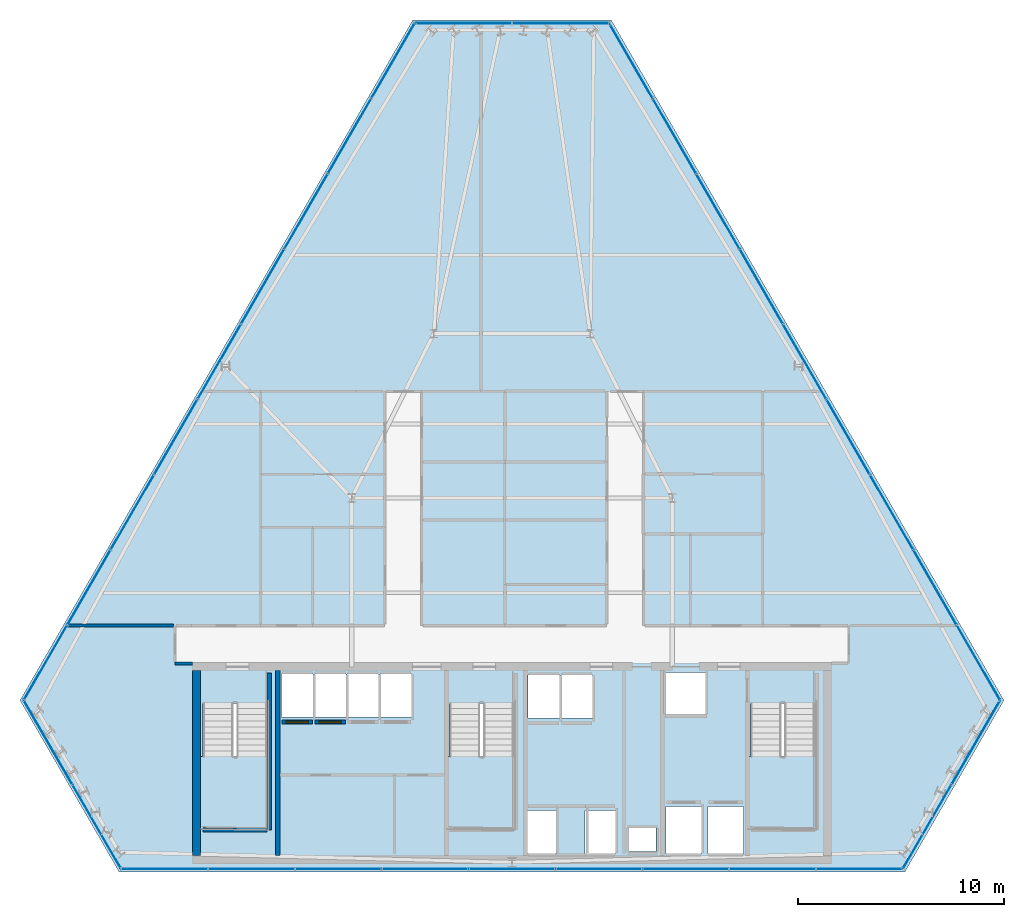
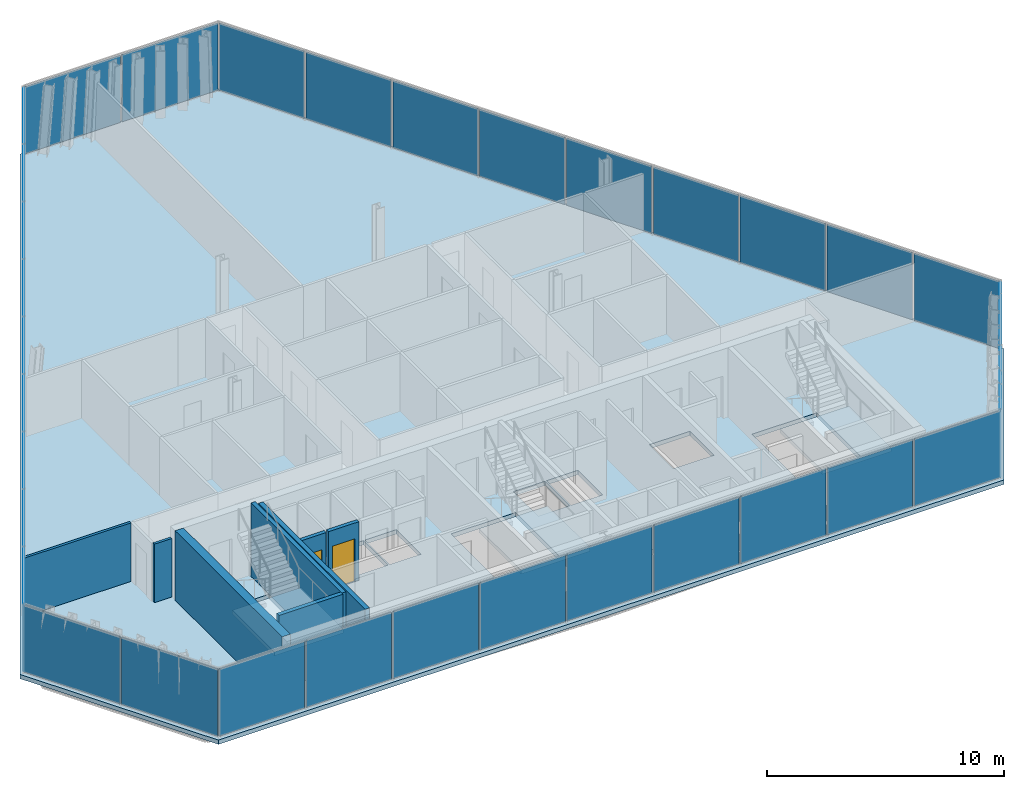
# One storey, part 26 of 33: 33 plates, 8 walls, 4 slabs, 2 doors, 2 openings, 9 elements without a shape of their own.
"""IFC4 building model written with IfcOpenShell, lengths in metres."""

import ifcopenshell
import ifcopenshell.guid

model = None  # the IFC model being written
_history = None  # IfcOwnerHistory: only IFC2X3 demands one
_inside = {}  # id of a spatial element -> (the spatial element, [elements in it])
_under = {}  # id of a project, library or spatial element -> (it, [spatial elements below it])
_declared = {}  # id of a project -> (the project, [libraries it declares])
_typed = {}  # id of a type object -> (the type object, [elements of that type])
_made_of = {}  # id of a material, layer set ... -> (it, [elements and type objects made of it])


def new_model(schema):
    """Start an empty IFC model of exactly this schema.

    Asked for "IFC4X3", IfcOpenShell would pick the latest addendum, in which some entities
    have other attributes; the version numbers below select the first issue.
    IFC2X3 requires an IfcOwnerHistory on every rooted entity: one is made here for all.
    """
    global model, _history
    if schema == "IFC4X3":
        model = ifcopenshell.file(schema_version=(4, 3, 0, 0))
    else:
        model = ifcopenshell.file(schema=schema)
    _inside.clear()
    _under.clear()
    _declared.clear()
    _typed.clear()
    _made_of.clear()
    _history = None
    if model.schema == "IFC2X3":
        org = make("IfcOrganization", Name="unknown")
        user = make(
            "IfcPersonAndOrganization",
            ThePerson=make("IfcPerson", FamilyName="unknown"),
            TheOrganization=org,
        )
        app = make(
            "IfcApplication",
            ApplicationDeveloper=org,
            Version="unknown",
            ApplicationFullName="unknown",
            ApplicationIdentifier="unknown",
        )
        _history = make(
            "IfcOwnerHistory",
            OwningUser=user,
            OwningApplication=app,
            ChangeAction="ADDED",
            CreationDate=0,
        )
    return model


def make(cls, **values):
    """One entity of the class cls with the attributes given. An attribute that is None is left unset."""
    return model.create_entity(
        cls, **{name: value for name, value in values.items() if value is not None}
    )


def rooted(cls, **values):
    """An entity with a GlobalId (a new one), such as an element, a storey or a relation."""
    return make(cls, GlobalId=ifcopenshell.guid.new(), OwnerHistory=_history, **values)


def si_unit(unit_type, name, prefix=None):
    """IfcSIUnit, for example si_unit("LENGTHUNIT", "METRE", prefix="MILLI")."""
    return make("IfcSIUnit", UnitType=unit_type, Prefix=prefix, Name=name)


def assignment(units):
    """IfcUnitAssignment: the units of a project."""
    return None if units is None else make("IfcUnitAssignment", Units=units)


def point(xyz):
    """IfcCartesianPoint."""
    return None if xyz is None else make("IfcCartesianPoint", Coordinates=xyz)


def direction(xyz):
    """IfcDirection."""
    return None if xyz is None else make("IfcDirection", DirectionRatios=xyz)


def frame(location, z_axis=None, x_axis=None):
    """IfcAxis2Placement3D, a coordinate frame: its origin and axes. An axis left out is left unset."""
    return make(
        "IfcAxis2Placement3D",
        Location=point(location),
        Axis=direction(z_axis),
        RefDirection=direction(x_axis),
    )


def frame_2d(location, x_axis=None):
    """IfcAxis2Placement2D, a coordinate frame in the plane: its origin and x axis."""
    return make(
        "IfcAxis2Placement2D", Location=point(location), RefDirection=direction(x_axis)
    )


def origin():
    """The frame at (0, 0, 0) with its axes left unset."""
    return frame((0.0, 0.0, 0.0))


def origin_2d():
    """The frame at (0, 0) in the plane with its x axis left unset."""
    return frame_2d((0.0, 0.0))


def place(relative_to, where):
    """IfcLocalPlacement: puts the frame where relative to a parent placement (None: the world)."""
    return make(
        "IfcLocalPlacement", PlacementRelTo=relative_to, RelativePlacement=where
    )


def context(
    kind, dimensions, precision=None, world=None, true_north=None, identifier=None
):
    """IfcGeometricRepresentationContext, for example the 3D "Model" context."""
    return make(
        "IfcGeometricRepresentationContext",
        ContextIdentifier=identifier,
        ContextType=kind,
        CoordinateSpaceDimension=dimensions,
        Precision=precision,
        WorldCoordinateSystem=world,
        TrueNorth=true_north,
    )


def subcontext(parent, identifier, kind, view, scale=None):
    """IfcGeometricRepresentationSubContext, for example "Body" below "Model"."""
    return make(
        "IfcGeometricRepresentationSubContext",
        ContextIdentifier=identifier,
        ContextType=kind,
        ParentContext=parent,
        TargetScale=scale,
        TargetView=view,
    )


def project(units=None, contexts=None):
    """IfcProject with its units and contexts."""
    return rooted(
        "IfcProject",
        Name="project",
        RepresentationContexts=contexts,
        UnitsInContext=assignment(units),
    )


def spatial(cls, under=None, at=None, **own):
    """A site, building, storey or space (cls), placed at a placement, below another one or the project."""
    s = rooted(cls, ObjectPlacement=at, **own)
    if under is not None:
        _under.setdefault(under.id(), (under, []))[1].append(s)
    return s


def polyline(points):
    """IfcPolyline through the points."""
    return make("IfcPolyline", Points=[point(p) for p in points])


def profile(cls, at=None, kind="AREA", **sizes):
    """A parametric profile (cls). Its sizes go by their IFC names, for example OverallWidth=200.0."""
    return make(cls, ProfileType=kind, Position=at, **sizes)


def rectangle(**sizes):
    """IfcRectangleProfileDef."""
    return profile("IfcRectangleProfileDef", **sizes)


def outline(outer, holes=None, kind="AREA"):
    """IfcArbitraryClosedProfileDef: a profile drawn as a closed curve; with holes, ...WithVoids."""
    if holes is None:
        return make("IfcArbitraryClosedProfileDef", ProfileType=kind, OuterCurve=outer)
    return make(
        "IfcArbitraryProfileDefWithVoids",
        ProfileType=kind,
        OuterCurve=outer,
        InnerCurves=holes,
    )


def extrude(swept, where, along, depth):
    """IfcExtrudedAreaSolid: the profile swept, set in the frame where, extruded along a direction by depth."""
    return make(
        "IfcExtrudedAreaSolid",
        SweptArea=swept,
        Position=where,
        ExtrudedDirection=direction(along),
        Depth=depth,
    )


def shape(context_of_items, identifier, shape_type, items):
    """IfcShapeRepresentation: the items that make up one representation, for example the "Body"."""
    return make(
        "IfcShapeRepresentation",
        ContextOfItems=context_of_items,
        RepresentationIdentifier=identifier,
        RepresentationType=shape_type,
        Items=items,
    )


def material(Name=None, Category=None):
    """IfcMaterial."""
    return make("IfcMaterial", Name=Name, Category=Category)


def layer(
    of_material, thickness, ventilated=None, Name=None, Category=None, Priority=None
):
    """IfcMaterialLayer: one layer of a wall or slab, of a material (None: an air gap)."""
    return make(
        "IfcMaterialLayer",
        Material=of_material,
        LayerThickness=thickness,
        IsVentilated=ventilated,
        Name=Name,
        Category=Category,
        Priority=Priority,
    )


def layer_set(layers, Name=None):
    """IfcMaterialLayerSet."""
    return make("IfcMaterialLayerSet", MaterialLayers=layers, LayerSetName=Name)


def made_of(thing, what):
    """Note that an element or type object is made of a material, layer set ...; save() writes the relation."""
    if what is not None:
        _made_of.setdefault(what.id(), (what, []))[1].append(thing)
    return thing


def type_object(cls, material=None, **own):
    """A type object (cls), such as IfcWallType, which elements share."""
    return made_of(rooted(cls, **own), material)


def element(
    cls,
    number,
    at=None,
    inside=None,
    cuts=None,
    type_object=None,
    material=None,
    context=None,
    identifier="Body",
    shape_type=None,
    held_by="IfcProductDefinitionShape",
    body=None,
    shapes=None,
    **own,
):
    """One element of the class cls, such as IfcWall. Its Tag is "e" and its number.

    at: its placement. inside: the storey or other place that contains it. cuts: it is an
    opening in that element (IfcRelVoidsElement). A single representation is given by context,
    identifier, shape_type and body (its items); several are given by shapes. held_by: the class
    of the entity that holds the representations. save() writes the other relations.
    """
    e = rooted(cls, Tag="e%d" % number, ObjectPlacement=at, **own)
    if body is not None:
        shapes = [shape(context, identifier, shape_type, body)]
    if shapes is not None:
        e.Representation = make(held_by, Representations=shapes)
    if inside is not None:
        _inside.setdefault(inside.id(), (inside, []))[1].append(e)
    if cuts is not None:
        rooted(
            "IfcRelVoidsElement", RelatingBuildingElement=cuts, RelatedOpeningElement=e
        )
    if type_object is not None:
        _typed.setdefault(type_object.id(), (type_object, []))[1].append(e)
    return made_of(e, material)


def fill(opening, filler):
    """IfcRelFillsElement: the door or window that sits in an opening."""
    return rooted(
        "IfcRelFillsElement",
        RelatingOpeningElement=opening,
        RelatedBuildingElement=filler,
    )


def aggregate(whole, parts):
    """IfcRelAggregates: a whole, such as a stair, and the parts it consists of."""
    return rooted("IfcRelAggregates", RelatingObject=whole, RelatedObjects=parts)


def save(model, path):
    """Write the relations noted so far, then the file.

    IfcRelAggregates (storeys below a building ...), IfcRelContainedInSpatialStructure (elements
    in a storey), IfcRelDefinesByType, IfcRelAssociatesMaterial and IfcRelDeclares: one each for
    every whole, place, type object, material and project.
    """
    for whole, parts in _under.values():
        aggregate(whole, parts)
    for where, things in _inside.values():
        rooted(
            "IfcRelContainedInSpatialStructure",
            RelatedElements=things,
            RelatingStructure=where,
        )
    for kind, things in _typed.values():
        rooted("IfcRelDefinesByType", RelatedObjects=things, RelatingType=kind)
    for what, things in _made_of.values():
        rooted("IfcRelAssociatesMaterial", RelatedObjects=things, RelatingMaterial=what)
    for by, libraries in _declared.values():
        rooted("IfcRelDeclares", RelatingContext=by, RelatedDefinitions=libraries)
    model.write(path)


model = new_model("IFC4")

# Units and contexts
model_context = context("Model", 3, precision=1e-05, world=origin(), true_north=direction((0.0, 1.0)))
body_context = subcontext(model_context, "Body", "Model", "MODEL_VIEW")
ifc_project = project(units=[si_unit("LENGTHUNIT", "METRE"), si_unit("AREAUNIT", "SQUARE_METRE"), si_unit("VOLUMEUNIT", "CUBIC_METRE"), si_unit("PLANEANGLEUNIT", "RADIAN"), si_unit("MASSUNIT", "GRAM", prefix="KILO")], contexts=[model_context])

# Site, building, storey
site_placement = place(None, origin())
site = spatial("IfcSite", under=ifc_project, at=site_placement, CompositionType="ELEMENT")
building_placement = place(site_placement, origin())
building = spatial("IfcBuilding", under=site, at=building_placement, Name="Ndaravel Arena Tower", CompositionType="ELEMENT")
storey_placement = place(building_placement, frame((0.0, 0.0, 187.800048828125)))
storey = spatial("IfcBuildingStorey", under=building, at=storey_placement, Name="L45", CompositionType="ELEMENT", Elevation=187.800048828125)

# Curtain wall, plate
ifc_material_1 = material(Name="Aluminium", Category="aluminium")
ifc_layer_1 = layer(ifc_material_1, 0.179931640625)
ifc_layer_set_1 = layer_set([ifc_layer_1], Name="Aluminium")
curtain_wall_type_1 = type_object("IfcCurtainWallType", Name="CW-SYS-01", PredefinedType="NOTDEFINED", material=ifc_layer_set_1)
curtain_wall_1_placement = place(storey_placement, origin())
curtain_wall_1 = element("IfcCurtainWall", 1, at=curtain_wall_1_placement, inside=storey, type_object=curtain_wall_type_1, Name="L45 Faceted Crystal Curtain Wall CW-L45-E02", PredefinedType="NOTDEFINED")
ifc_material_2 = material(Name="Glazing", Category="glass")
ifc_layer_2 = layer(ifc_material_2, 0.035888671875)
ifc_layer_set_2 = layer_set([ifc_layer_2], Name="Glazing")
plate_type_1 = type_object("IfcPlateType", Name="PLT-CW-OPVENT", PredefinedType="CURTAIN_PANEL", material=ifc_layer_set_2)
plate_1_placement = place(storey_placement, frame((64.564208984375, 11.3095703125, 0.06005859375), z_axis=(0.0, 0.0, 1.0), x_axis=(0.5, 0.866025403784, 0.0)))
plate_1 = element("IfcPlate", 2, at=plate_1_placement, type_object=plate_type_1, Name="CW-L45-E02 Operable Vent Sash Panel 02", PredefinedType="CURTAIN_PANEL", context=body_context, shape_type="SweptSolid", body=[
    extrude(rectangle(XDim=4.65380859375, YDim=0.035888671875, at=origin_2d()), origin(), (0.0, 0.0, 1.0), 3.4599609375),
])

curtain_wall_2_placement = place(storey_placement, origin())
curtain_wall_2 = element("IfcCurtainWall", 3, at=curtain_wall_2_placement, inside=storey, type_object=curtain_wall_type_1, Name="L45 Faceted Crystal Curtain Wall CW-L45-E04", PredefinedType="NOTDEFINED")
plate_2_placement = place(storey_placement, frame((39.633056640625, 46.29248046875, 0.06005859375), z_axis=(0.0, 0.0, 1.0), x_axis=(-1.0, 0.0, 0.0)))
plate_2 = element("IfcPlate", 4, at=plate_2_placement, type_object=plate_type_1, Name="CW-L45-E04 Operable Vent Sash Panel 02", PredefinedType="CURTAIN_PANEL", context=body_context, shape_type="SweptSolid", body=[
    extrude(rectangle(XDim=4.65380859375, YDim=0.035888671875, at=origin_2d()), origin(), (0.0, 0.0, 1.0), 3.4599609375),
])

ifc_material_3 = material(Name="Aluminium", Category="aluminium")
ifc_layer_3 = layer(ifc_material_3, 0.179931640625)
ifc_layer_set_3 = layer_set([ifc_layer_3], Name="Aluminium")
curtain_wall_type_2 = type_object("IfcCurtainWallType", Name="CW-SYS-02", PredefinedType="NOTDEFINED", material=ifc_layer_set_3)
curtain_wall_3_placement = place(storey_placement, origin())
curtain_wall_3 = element("IfcCurtainWall", 5, at=curtain_wall_3_placement, inside=storey, type_object=curtain_wall_type_2, Name="L45 Faceted Crystal Curtain Wall CW-L45-E06", PredefinedType="NOTDEFINED")
plate_3_placement = place(storey_placement, frame((21.802490234375, 7.2099609375, 0.06005859375), z_axis=(0.0, 0.0, 1.0), x_axis=(0.5, -0.866025403784, 0.0)))
plate_3 = element("IfcPlate", 6, at=plate_3_placement, type_object=plate_type_1, Name="CW-L45-E06 Operable Vent Sash Panel 02", PredefinedType="CURTAIN_PANEL", context=body_context, shape_type="SweptSolid", body=[
    extrude(rectangle(XDim=4.65380859375, YDim=0.035888671875, at=origin_2d()), origin(), (0.0, 0.0, 1.0), 3.4599609375),
])

# Plate
ifc_material_4 = material(Name="Glazing", Category="glass")
ifc_layer_4 = layer(ifc_material_4, 0.031982421875)
ifc_layer_set_4 = layer_set([ifc_layer_4], Name="Glazing")
plate_type_2 = type_object("IfcPlateType", Name="PLT-GLZ-FRIT35", PredefinedType="CURTAIN_PANEL", material=ifc_layer_set_4)
plate_4_placement = place(storey_placement, frame((62.197509765625, 7.2099609375, 0.06005859375), z_axis=(0.0, 0.0, 1.0), x_axis=(0.5, 0.866025403784, 0.0)))
plate_4 = element("IfcPlate", 7, at=plate_4_placement, type_object=plate_type_2, Name="CW-L45-E02 Vision Glass Panel 01", PredefinedType="CURTAIN_PANEL", context=body_context, shape_type="SweptSolid", body=[
    extrude(rectangle(XDim=4.65380859375, YDim=0.035888671875, at=origin_2d()), origin(), (0.0, 0.0, 1.0), 3.4599609375),
])

aggregate(curtain_wall_1, [plate_4, plate_1])

plate_5_placement = place(storey_placement, frame((44.366943359375, 46.29248046875, 0.06005859375), z_axis=(0.0, 0.0, 1.0), x_axis=(-1.0, 0.0, 0.0)))
plate_5 = element("IfcPlate", 8, at=plate_5_placement, type_object=plate_type_2, Name="CW-L45-E04 Vision Glass Panel 01", PredefinedType="CURTAIN_PANEL", context=body_context, shape_type="SweptSolid", body=[
    extrude(rectangle(XDim=4.65380859375, YDim=0.035888671875, at=origin_2d()), origin(), (0.0, 0.0, 1.0), 3.4599609375),
])

aggregate(curtain_wall_2, [plate_5, plate_2])

ifc_material_5 = material(Name="Glazing", Category="glass")
ifc_layer_5 = layer(ifc_material_5, 0.035888671875)
ifc_layer_set_5 = layer_set([ifc_layer_5], Name="Glazing")
plate_type_3 = type_object("IfcPlateType", Name="PLT-GLZ-FRIT55", PredefinedType="CURTAIN_PANEL", material=ifc_layer_set_5)
plate_6_placement = place(storey_placement, frame((19.435791015625, 11.3095703125, 0.06005859375), z_axis=(0.0, 0.0, 1.0), x_axis=(0.5, -0.866025403784, 0.0)))
plate_6 = element("IfcPlate", 9, at=plate_6_placement, type_object=plate_type_3, Name="CW-L45-E06 Vision Glass Panel 01", PredefinedType="CURTAIN_PANEL", context=body_context, shape_type="SweptSolid", body=[
    extrude(rectangle(XDim=4.65380859375, YDim=0.035888671875, at=origin_2d()), origin(), (0.0, 0.0, 1.0), 3.4599609375),
])

aggregate(curtain_wall_3, [plate_6, plate_3])

# Curtain wall, plates
ifc_material_6 = material(Name="Aluminium", Category="aluminium")
ifc_layer_6 = layer(ifc_material_6, 0.179931640625)
ifc_layer_set_6 = layer_set([ifc_layer_6], Name="Aluminium")
curtain_wall_type_3 = type_object("IfcCurtainWallType", Name="CW-SYS-03", PredefinedType="NOTDEFINED", material=ifc_layer_set_6)
curtain_wall_4_placement = place(storey_placement, origin())
curtain_wall_4 = element("IfcCurtainWall", 10, at=curtain_wall_4_placement, inside=storey, type_object=curtain_wall_type_3, Name="L45 Faceted Crystal Curtain Wall CW-L45-E01", PredefinedType="NOTDEFINED")
ifc_material_7 = material(Name="Glazing", Category="glass")
ifc_layer_7 = layer(ifc_material_7, 0.0400390625)
ifc_layer_set_7 = layer_set([ifc_layer_7], Name="Glazing")
plate_type_4 = type_object("IfcPlateType", Name="PLT-GLZ-LOWIRON", PredefinedType="CURTAIN_PANEL", material=ifc_layer_set_7)
plate_7_placement = place(storey_placement, frame((25.098876953125, 5.159912109375, 0.06005859375), z_axis=(0.0, 0.0, 1.0), x_axis=(1.0, 0.0, 0.0)))
plate_7 = element("IfcPlate", 11, at=plate_7_placement, type_object=plate_type_4, Name="CW-L45-E01 Vision Glass Panel 01", PredefinedType="CURTAIN_PANEL", context=body_context, shape_type="SweptSolid", body=[
    extrude(rectangle(XDim=4.145263671875, YDim=0.035888671875, at=origin_2d()), origin(), (0.0, 0.0, 1.0), 3.4599609375),
])
plate_8_placement = place(storey_placement, frame((29.32421875, 5.159912109375, 0.06005859375), z_axis=(0.0, 0.0, 1.0), x_axis=(1.0, 0.0, 0.0)))
plate_8 = element("IfcPlate", 12, at=plate_8_placement, type_object=plate_type_4, Name="CW-L45-E01 Vision Glass Panel 02", PredefinedType="CURTAIN_PANEL", context=body_context, shape_type="SweptSolid", body=[
    extrude(rectangle(XDim=4.145263671875, YDim=0.035888671875, at=origin_2d()), origin(), (0.0, 0.0, 1.0), 3.4599609375),
])
plate_9_placement = place(storey_placement, frame((33.54931640625, 5.159912109375, 0.06005859375), z_axis=(0.0, 0.0, 1.0), x_axis=(1.0, 0.0, 0.0)))
plate_9 = element("IfcPlate", 13, at=plate_9_placement, type_object=plate_type_4, Name="CW-L45-E01 Vision Glass Panel 03", PredefinedType="CURTAIN_PANEL", context=body_context, shape_type="SweptSolid", body=[
    extrude(rectangle(XDim=4.145263671875, YDim=0.035888671875, at=origin_2d()), origin(), (0.0, 0.0, 1.0), 3.4599609375),
])
plate_10_placement = place(storey_placement, frame((37.774658203125, 5.159912109375, 0.06005859375), z_axis=(0.0, 0.0, 1.0), x_axis=(1.0, 0.0, 0.0)))
plate_10 = element("IfcPlate", 14, at=plate_10_placement, type_object=plate_type_4, Name="CW-L45-E01 Vision Glass Panel 04", PredefinedType="CURTAIN_PANEL", context=body_context, shape_type="SweptSolid", body=[
    extrude(rectangle(XDim=4.145263671875, YDim=0.035888671875, at=origin_2d()), origin(), (0.0, 0.0, 1.0), 3.4599609375),
])
plate_11_placement = place(storey_placement, frame((42.0, 5.159912109375, 0.06005859375), z_axis=(0.0, 0.0, 1.0), x_axis=(1.0, 0.0, 0.0)))
plate_11 = element("IfcPlate", 15, at=plate_11_placement, type_object=plate_type_4, Name="CW-L45-E01 Vision Glass Panel 05", PredefinedType="CURTAIN_PANEL", context=body_context, shape_type="SweptSolid", body=[
    extrude(rectangle(XDim=4.145263671875, YDim=0.035888671875, at=origin_2d()), origin(), (0.0, 0.0, 1.0), 3.4599609375),
])
plate_12_placement = place(storey_placement, frame((46.225341796875, 5.159912109375, 0.06005859375), z_axis=(0.0, 0.0, 1.0), x_axis=(1.0, 0.0, 0.0)))
plate_12 = element("IfcPlate", 16, at=plate_12_placement, type_object=plate_type_4, Name="CW-L45-E01 Vision Glass Panel 06", PredefinedType="CURTAIN_PANEL", context=body_context, shape_type="SweptSolid", body=[
    extrude(rectangle(XDim=4.145263671875, YDim=0.035888671875, at=origin_2d()), origin(), (0.0, 0.0, 1.0), 3.4599609375),
])
plate_13_placement = place(storey_placement, frame((50.45068359375, 5.159912109375, 0.06005859375), z_axis=(0.0, 0.0, 1.0), x_axis=(1.0, 0.0, 0.0)))
plate_13 = element("IfcPlate", 17, at=plate_13_placement, type_object=plate_type_4, Name="CW-L45-E01 Vision Glass Panel 07", PredefinedType="CURTAIN_PANEL", context=body_context, shape_type="SweptSolid", body=[
    extrude(rectangle(XDim=4.145263671875, YDim=0.035888671875, at=origin_2d()), origin(), (0.0, 0.0, 1.0), 3.4599609375),
])
plate_14_placement = place(storey_placement, frame((54.67578125, 5.159912109375, 0.06005859375), z_axis=(0.0, 0.0, 1.0), x_axis=(1.0, 0.0, 0.0)))
plate_14 = element("IfcPlate", 18, at=plate_14_placement, type_object=plate_type_4, Name="CW-L45-E01 Vision Glass Panel 08", PredefinedType="CURTAIN_PANEL", context=body_context, shape_type="SweptSolid", body=[
    extrude(rectangle(XDim=4.145263671875, YDim=0.035888671875, at=origin_2d()), origin(), (0.0, 0.0, 1.0), 3.4599609375),
])
plate_15_placement = place(storey_placement, frame((58.901123046875, 5.159912109375, 0.06005859375), z_axis=(0.0, 0.0, 1.0), x_axis=(1.0, 0.0, 0.0)))
plate_15 = element("IfcPlate", 19, at=plate_15_placement, type_object=plate_type_4, Name="CW-L45-E01 Vision Glass Panel 09", PredefinedType="CURTAIN_PANEL", context=body_context, shape_type="SweptSolid", body=[
    extrude(rectangle(XDim=4.145263671875, YDim=0.035888671875, at=origin_2d()), origin(), (0.0, 0.0, 1.0), 3.4599609375),
])
aggregate(curtain_wall_4, [plate_7, plate_8, plate_9, plate_10, plate_11, plate_12, plate_13, plate_14, plate_15])

curtain_wall_5_placement = place(storey_placement, origin())
curtain_wall_5 = element("IfcCurtainWall", 20, at=curtain_wall_5_placement, inside=storey, type_object=curtain_wall_type_3, Name="L45 Faceted Crystal Curtain Wall CW-L45-E03", PredefinedType="NOTDEFINED")
plate_16_placement = place(storey_placement, frame((64.69140625, 15.18896484375, 0.06005859375), z_axis=(0.0, 0.0, 1.0), x_axis=(-0.5, 0.866025403784, 0.0)))
plate_16 = element("IfcPlate", 21, at=plate_16_placement, type_object=plate_type_4, Name="CW-L45-E03 Vision Glass Panel 01", PredefinedType="CURTAIN_PANEL", context=body_context, shape_type="SweptSolid", body=[
    extrude(rectangle(XDim=4.145263671875, YDim=0.035888671875, at=origin_2d()), origin(), (0.0, 0.0, 1.0), 3.4599609375),
])
plate_17_placement = place(storey_placement, frame((62.578857421875, 18.848388671875, 0.06005859375), z_axis=(0.0, 0.0, 1.0), x_axis=(-0.5, 0.866025403784, 0.0)))
plate_17 = element("IfcPlate", 22, at=plate_17_placement, type_object=plate_type_4, Name="CW-L45-E03 Vision Glass Panel 02", PredefinedType="CURTAIN_PANEL", context=body_context, shape_type="SweptSolid", body=[
    extrude(rectangle(XDim=4.145263671875, YDim=0.035888671875, at=origin_2d()), origin(), (0.0, 0.0, 1.0), 3.4599609375),
])
plate_18_placement = place(storey_placement, frame((60.46630859375, 22.507568359375, 0.06005859375), z_axis=(0.0, 0.0, 1.0), x_axis=(-0.5, 0.866025403784, 0.0)))
plate_18 = element("IfcPlate", 23, at=plate_18_placement, type_object=plate_type_4, Name="CW-L45-E03 Vision Glass Panel 03", PredefinedType="CURTAIN_PANEL", context=body_context, shape_type="SweptSolid", body=[
    extrude(rectangle(XDim=4.145263671875, YDim=0.035888671875, at=origin_2d()), origin(), (0.0, 0.0, 1.0), 3.4599609375),
])
plate_19_placement = place(storey_placement, frame((58.353515625, 26.166748046875, 0.06005859375), z_axis=(0.0, 0.0, 1.0), x_axis=(-0.5, 0.866025403784, 0.0)))
plate_19 = element("IfcPlate", 24, at=plate_19_placement, type_object=plate_type_4, Name="CW-L45-E03 Vision Glass Panel 04", PredefinedType="CURTAIN_PANEL", context=body_context, shape_type="SweptSolid", body=[
    extrude(rectangle(XDim=4.145263671875, YDim=0.035888671875, at=origin_2d()), origin(), (0.0, 0.0, 1.0), 3.4599609375),
])
plate_20_placement = place(storey_placement, frame((56.24072265625, 29.825927734375, 0.06005859375), z_axis=(0.0, 0.0, 1.0), x_axis=(-0.5, 0.866025403784, 0.0)))
plate_20 = element("IfcPlate", 25, at=plate_20_placement, type_object=plate_type_4, Name="CW-L45-E03 Vision Glass Panel 05", PredefinedType="CURTAIN_PANEL", context=body_context, shape_type="SweptSolid", body=[
    extrude(rectangle(XDim=4.145263671875, YDim=0.035888671875, at=origin_2d()), origin(), (0.0, 0.0, 1.0), 3.4599609375),
])
plate_21_placement = place(storey_placement, frame((54.128173828125, 33.485107421875, 0.06005859375), z_axis=(0.0, 0.0, 1.0), x_axis=(-0.5, 0.866025403784, 0.0)))
plate_21 = element("IfcPlate", 26, at=plate_21_placement, type_object=plate_type_4, Name="CW-L45-E03 Vision Glass Panel 06", PredefinedType="CURTAIN_PANEL", context=body_context, shape_type="SweptSolid", body=[
    extrude(rectangle(XDim=4.145263671875, YDim=0.035888671875, at=origin_2d()), origin(), (0.0, 0.0, 1.0), 3.4599609375),
])
plate_22_placement = place(storey_placement, frame((52.015380859375, 37.14453125, 0.06005859375), z_axis=(0.0, 0.0, 1.0), x_axis=(-0.5, 0.866025403784, 0.0)))
plate_22 = element("IfcPlate", 27, at=plate_22_placement, type_object=plate_type_4, Name="CW-L45-E03 Vision Glass Panel 07", PredefinedType="CURTAIN_PANEL", context=body_context, shape_type="SweptSolid", body=[
    extrude(rectangle(XDim=4.145263671875, YDim=0.035888671875, at=origin_2d()), origin(), (0.0, 0.0, 1.0), 3.4599609375),
])
plate_23_placement = place(storey_placement, frame((49.90283203125, 40.8037109375, 0.06005859375), z_axis=(0.0, 0.0, 1.0), x_axis=(-0.5, 0.866025403784, 0.0)))
plate_23 = element("IfcPlate", 28, at=plate_23_placement, type_object=plate_type_4, Name="CW-L45-E03 Vision Glass Panel 08", PredefinedType="CURTAIN_PANEL", context=body_context, shape_type="SweptSolid", body=[
    extrude(rectangle(XDim=4.145263671875, YDim=0.035888671875, at=origin_2d()), origin(), (0.0, 0.0, 1.0), 3.4599609375),
])
plate_24_placement = place(storey_placement, frame((47.790283203125, 44.462890625, 0.06005859375), z_axis=(0.0, 0.0, 1.0), x_axis=(-0.5, 0.866025403784, 0.0)))
plate_24 = element("IfcPlate", 29, at=plate_24_placement, type_object=plate_type_4, Name="CW-L45-E03 Vision Glass Panel 09", PredefinedType="CURTAIN_PANEL", context=body_context, shape_type="SweptSolid", body=[
    extrude(rectangle(XDim=4.145263671875, YDim=0.035888671875, at=origin_2d()), origin(), (0.0, 0.0, 1.0), 3.4599609375),
])
aggregate(curtain_wall_5, [plate_16, plate_17, plate_18, plate_19, plate_20, plate_21, plate_22, plate_23, plate_24])

curtain_wall_6_placement = place(storey_placement, origin())
curtain_wall_6 = element("IfcCurtainWall", 30, at=curtain_wall_6_placement, inside=storey, type_object=curtain_wall_type_3, Name="L45 Faceted Crystal Curtain Wall CW-L45-E05", PredefinedType="NOTDEFINED")
plate_25_placement = place(storey_placement, frame((36.209716796875, 44.462890625, 0.06005859375), z_axis=(0.0, 0.0, 1.0), x_axis=(-0.5, -0.866025403784, 0.0)))
plate_25 = element("IfcPlate", 31, at=plate_25_placement, type_object=plate_type_4, Name="CW-L45-E05 Vision Glass Panel 01", PredefinedType="CURTAIN_PANEL", context=body_context, shape_type="SweptSolid", body=[
    extrude(rectangle(XDim=4.145263671875, YDim=0.035888671875, at=origin_2d()), origin(), (0.0, 0.0, 1.0), 3.4599609375),
])
plate_26_placement = place(storey_placement, frame((34.09716796875, 40.8037109375, 0.06005859375), z_axis=(0.0, 0.0, 1.0), x_axis=(-0.5, -0.866025403784, 0.0)))
plate_26 = element("IfcPlate", 32, at=plate_26_placement, type_object=plate_type_4, Name="CW-L45-E05 Vision Glass Panel 02", PredefinedType="CURTAIN_PANEL", context=body_context, shape_type="SweptSolid", body=[
    extrude(rectangle(XDim=4.145263671875, YDim=0.035888671875, at=origin_2d()), origin(), (0.0, 0.0, 1.0), 3.4599609375),
])
plate_27_placement = place(storey_placement, frame((31.984619140625, 37.14453125, 0.06005859375), z_axis=(0.0, 0.0, 1.0), x_axis=(-0.5, -0.866025403784, 0.0)))
plate_27 = element("IfcPlate", 33, at=plate_27_placement, type_object=plate_type_4, Name="CW-L45-E05 Vision Glass Panel 03", PredefinedType="CURTAIN_PANEL", context=body_context, shape_type="SweptSolid", body=[
    extrude(rectangle(XDim=4.145263671875, YDim=0.035888671875, at=origin_2d()), origin(), (0.0, 0.0, 1.0), 3.4599609375),
])
plate_28_placement = place(storey_placement, frame((29.871826171875, 33.485107421875, 0.06005859375), z_axis=(0.0, 0.0, 1.0), x_axis=(-0.5, -0.866025403784, 0.0)))
plate_28 = element("IfcPlate", 34, at=plate_28_placement, type_object=plate_type_4, Name="CW-L45-E05 Vision Glass Panel 04", PredefinedType="CURTAIN_PANEL", context=body_context, shape_type="SweptSolid", body=[
    extrude(rectangle(XDim=4.145263671875, YDim=0.035888671875, at=origin_2d()), origin(), (0.0, 0.0, 1.0), 3.4599609375),
])
plate_29_placement = place(storey_placement, frame((27.759033203125, 29.825927734375, 0.06005859375), z_axis=(0.0, 0.0, 1.0), x_axis=(-0.5, -0.866025403784, 0.0)))
plate_29 = element("IfcPlate", 35, at=plate_29_placement, type_object=plate_type_4, Name="CW-L45-E05 Vision Glass Panel 05", PredefinedType="CURTAIN_PANEL", context=body_context, shape_type="SweptSolid", body=[
    extrude(rectangle(XDim=4.145263671875, YDim=0.035888671875, at=origin_2d()), origin(), (0.0, 0.0, 1.0), 3.4599609375),
])
plate_30_placement = place(storey_placement, frame((25.646484375, 26.166748046875, 0.06005859375), z_axis=(0.0, 0.0, 1.0), x_axis=(-0.5, -0.866025403784, 0.0)))
plate_30 = element("IfcPlate", 36, at=plate_30_placement, type_object=plate_type_4, Name="CW-L45-E05 Vision Glass Panel 06", PredefinedType="CURTAIN_PANEL", context=body_context, shape_type="SweptSolid", body=[
    extrude(rectangle(XDim=4.145263671875, YDim=0.035888671875, at=origin_2d()), origin(), (0.0, 0.0, 1.0), 3.4599609375),
])
plate_31_placement = place(storey_placement, frame((23.53369140625, 22.507568359375, 0.06005859375), z_axis=(0.0, 0.0, 1.0), x_axis=(-0.5, -0.866025403784, 0.0)))
plate_31 = element("IfcPlate", 37, at=plate_31_placement, type_object=plate_type_4, Name="CW-L45-E05 Vision Glass Panel 07", PredefinedType="CURTAIN_PANEL", context=body_context, shape_type="SweptSolid", body=[
    extrude(rectangle(XDim=4.145263671875, YDim=0.035888671875, at=origin_2d()), origin(), (0.0, 0.0, 1.0), 3.4599609375),
])
plate_32_placement = place(storey_placement, frame((21.421142578125, 18.848388671875, 0.06005859375), z_axis=(0.0, 0.0, 1.0), x_axis=(-0.5, -0.866025403784, 0.0)))
plate_32 = element("IfcPlate", 38, at=plate_32_placement, type_object=plate_type_4, Name="CW-L45-E05 Vision Glass Panel 08", PredefinedType="CURTAIN_PANEL", context=body_context, shape_type="SweptSolid", body=[
    extrude(rectangle(XDim=4.145263671875, YDim=0.035888671875, at=origin_2d()), origin(), (0.0, 0.0, 1.0), 3.4599609375),
])
plate_33_placement = place(storey_placement, frame((19.30859375, 15.18896484375, 0.06005859375), z_axis=(0.0, 0.0, 1.0), x_axis=(-0.5, -0.866025403784, 0.0)))
plate_33 = element("IfcPlate", 39, at=plate_33_placement, type_object=plate_type_4, Name="CW-L45-E05 Vision Glass Panel 09", PredefinedType="CURTAIN_PANEL", context=body_context, shape_type="SweptSolid", body=[
    extrude(rectangle(XDim=4.145263671875, YDim=0.035888671875, at=origin_2d()), origin(), (0.0, 0.0, 1.0), 3.4599609375),
])
aggregate(curtain_wall_6, [plate_25, plate_26, plate_27, plate_28, plate_29, plate_30, plate_31, plate_32, plate_33])

# Stair, slab
ifc_material_8 = material(Name="Concrete C40/50", Category="concrete")
stair_type = type_object("IfcStairType", Name="STAIR-CORE-HT", PredefinedType="HALF_TURN_STAIR", material=ifc_material_8)
stair_1_placement = place(storey_placement, origin())
stair_1 = element("IfcStair", 40, at=stair_1_placement, inside=storey, type_object=stair_type, Name="L45 ST-1", PredefinedType="HALF_TURN_STAIR")
ifc_material_9 = material(Name="Concrete C40/50", Category="concrete")
ifc_layer_8 = layer(ifc_material_9, 0.199951171875)
ifc_layer_set_8 = layer_set([ifc_layer_8], Name="Concrete C40/50")
slab_type_1 = type_object("IfcSlabType", Name="SLAB-STAIR-LANDING", PredefinedType="LANDING", material=ifc_layer_set_8)
slab_1_placement = place(storey_placement, frame((0.0, 0.0, 1.699951171875)))
slab_1 = element("IfcSlab", 41, at=slab_1_placement, type_object=slab_type_1, Name="ST-1 landing 1", PredefinedType="LANDING", context=body_context, shape_type="SweptSolid", body=[
    extrude(outline(polyline([(26.81005859375, 10.6298828125), (26.81005859375, 7.070068359375), (30.169921875, 7.070068359375), (30.169921875, 10.6298828125), (26.81005859375, 10.6298828125)])), origin(), (0.0, 0.0, 1.0), 0.199951171875),
])
aggregate(stair_1, [slab_1])

stair_2_placement = place(storey_placement, origin())
stair_2 = element("IfcStair", 42, at=stair_2_placement, inside=storey, type_object=stair_type, Name="L45 ST-2", PredefinedType="HALF_TURN_STAIR")
slab_2_placement = place(storey_placement, frame((0.0, 0.0, 1.699951171875)))
slab_2 = element("IfcSlab", 43, at=slab_2_placement, type_object=slab_type_1, Name="ST-2 landing 1", PredefinedType="LANDING", context=body_context, shape_type="SweptSolid", body=[
    extrude(outline(polyline([(38.81005859375, 10.6298828125), (38.81005859375, 7.070068359375), (42.169921875, 7.070068359375), (42.169921875, 10.6298828125), (38.81005859375, 10.6298828125)])), origin(), (0.0, 0.0, 1.0), 0.199951171875),
])
aggregate(stair_2, [slab_2])

stair_3_placement = place(storey_placement, origin())
stair_3 = element("IfcStair", 44, at=stair_3_placement, inside=storey, type_object=stair_type, Name="L45 ST-3", PredefinedType="HALF_TURN_STAIR")
slab_3_placement = place(storey_placement, frame((0.0, 0.0, 1.699951171875)))
slab_3 = element("IfcSlab", 45, at=slab_3_placement, type_object=slab_type_1, Name="ST-3 landing 1", PredefinedType="LANDING", context=body_context, shape_type="SweptSolid", body=[
    extrude(outline(polyline([(53.4599609375, 10.6298828125), (53.4599609375, 7.070068359375), (56.820068359375, 7.070068359375), (56.820068359375, 10.6298828125), (53.4599609375, 10.6298828125)])), origin(), (0.0, 0.0, 1.0), 0.199951171875),
])
aggregate(stair_3, [slab_3])

# Slab
ifc_material_10 = material(Name="Concrete C40/50", Category="concrete")
ifc_layer_9 = layer(ifc_material_10, 0.219970703125)
ifc_layer_set_9 = layer_set([ifc_layer_9], Name="Concrete C40/50")
slab_type_2 = type_object("IfcSlabType", Name="SLAB-TWR-220", PredefinedType="FLOOR", material=ifc_layer_set_9)
slab_4_placement = place(storey_placement, frame((0.0, 0.0, -0.219970703125)))
element("IfcSlab", 46, at=slab_4_placement, inside=storey, type_object=slab_type_2, Name="L45 Structural Floor Slab", PredefinedType="FLOOR", context=body_context, shape_type="SweptSolid", body=[
    extrude(outline(polyline([(18.0673828125, 13.359375), (22.893798828125, 5.0), (61.106201171875, 5.0), (65.9326171875, 13.359375), (46.826416015625, 46.45263671875), (37.173583984375, 46.45263671875), (18.0673828125, 13.359375)]), holes=[polyline([(26.949951171875, 13.215087890625), (26.949951171875, 7.14990234375), (30.090087890625, 7.14990234375), (30.090087890625, 13.215087890625), (26.949951171875, 13.215087890625)]), polyline([(38.949951171875, 13.215087890625), (38.949951171875, 7.14990234375), (42.090087890625, 7.14990234375), (42.090087890625, 13.215087890625), (38.949951171875, 13.215087890625)]), polyline([(53.60009765625, 13.215087890625), (53.60009765625, 7.14990234375), (56.739990234375, 7.14990234375), (56.739990234375, 13.215087890625), (53.60009765625, 13.215087890625)]), polyline([(30.784912109375, 12.56005859375), (32.31494140625, 12.56005859375), (32.31494140625, 14.639892578125), (30.784912109375, 14.639892578125), (30.784912109375, 12.56005859375)]), polyline([(32.385009765625, 12.56005859375), (33.9150390625, 12.56005859375), (33.9150390625, 14.639892578125), (32.385009765625, 14.639892578125), (32.385009765625, 12.56005859375)]), polyline([(33.985107421875, 12.56005859375), (35.514892578125, 12.56005859375), (35.514892578125, 14.639892578125), (33.985107421875, 14.639892578125), (33.985107421875, 12.56005859375)]), polyline([(35.5849609375, 12.56005859375), (37.114990234375, 12.56005859375), (37.114990234375, 14.639892578125), (35.5849609375, 14.639892578125), (35.5849609375, 12.56005859375)]), polyline([(42.659912109375, 5.909912109375), (44.139892578125, 5.909912109375), (44.139892578125, 7.989990234375), (42.659912109375, 7.989990234375), (42.659912109375, 5.909912109375)]), polyline([(45.56005859375, 5.909912109375), (47.0400390625, 5.909912109375), (47.0400390625, 7.989990234375), (45.56005859375, 7.989990234375), (45.56005859375, 5.909912109375)]), polyline([(42.784912109375, 12.510009765625), (44.31494140625, 12.510009765625), (44.31494140625, 14.590087890625), (42.784912109375, 14.590087890625), (42.784912109375, 12.510009765625)]), polyline([(44.385009765625, 12.510009765625), (45.9150390625, 12.510009765625), (45.9150390625, 14.590087890625), (44.385009765625, 14.590087890625), (44.385009765625, 12.510009765625)]), polyline([(49.485107421875, 5.909912109375), (51.215087890625, 5.909912109375), (51.215087890625, 8.18994140625), (49.485107421875, 8.18994140625), (49.485107421875, 5.909912109375)]), polyline([(51.534912109375, 5.909912109375), (53.264892578125, 5.909912109375), (53.264892578125, 8.18994140625), (51.534912109375, 8.18994140625), (51.534912109375, 5.909912109375)]), polyline([(49.4599609375, 12.68505859375), (51.43994140625, 12.68505859375), (51.43994140625, 14.715087890625), (49.4599609375, 14.715087890625), (49.4599609375, 12.68505859375)]), polyline([(47.699951171875, 6.0), (49.0, 6.0), (49.0, 7.139892578125), (47.699951171875, 7.139892578125), (47.699951171875, 6.0)])]), origin(), (0.0, 0.0, 1.0), 0.219970703125),
])

# Walls
ifc_material_11 = material(Name="Concrete C50/60", Category="concrete")
ifc_layer_10 = layer(ifc_material_11, 0.219970703125)
ifc_layer_set_10 = layer_set([ifc_layer_10], Name="Concrete C50/60")
wall_type_1 = type_object("IfcWallType", Name="WALL-CORE-220", PredefinedType="SOLIDWALL", material=ifc_layer_set_10)
wall_1_placement = place(storey_placement, frame((30.60009765625, 5.800048828125, 0.0), z_axis=(0.0, 0.0, 1.0), x_axis=(0.0, 1.0, 0.0)))
element("IfcWall", 47, at=wall_1_placement, inside=storey, type_object=wall_type_1, Name="L45 Core Web Shear Wall 1", PredefinedType="SOLIDWALL", context=body_context, shape_type="SweptSolid", body=[
    extrude(rectangle(XDim=9.0, YDim=0.219970703125, at=frame_2d((4.5, 0.0))), origin(), (0.0, 0.0, 1.0), 3.579833984375),
])
ifc_material_12 = material(Name="Concrete C50/60", Category="concrete")
ifc_layer_11 = layer(ifc_material_12, 0.39990234375)
ifc_layer_set_11 = layer_set([ifc_layer_11], Name="Concrete C50/60")
wall_type_2 = type_object("IfcWallType", Name="WALL-CORE-400", PredefinedType="SOLIDWALL", material=ifc_layer_set_11)
wall_2_placement = place(storey_placement, frame((26.64990234375, 5.800048828125, 0.0), z_axis=(0.0, 0.0, 1.0), x_axis=(0.0, 1.0, 0.0)))
element("IfcWall", 48, at=wall_2_placement, inside=storey, type_object=wall_type_2, Name="L45 Core West Shear Wall", PredefinedType="SOLIDWALL", context=body_context, shape_type="SweptSolid", body=[
    extrude(rectangle(XDim=9.0, YDim=0.39990234375, at=frame_2d((4.5, 0.0))), origin(), (0.0, 0.0, 1.0), 3.579833984375),
])
ifc_material_13 = material(Name="Gypsum", Category="gypsum")
ifc_layer_12 = layer(ifc_material_13, 0.125)
ifc_layer_set_12 = layer_set([ifc_layer_12], Name="Gypsum")
wall_type_3 = type_object("IfcWallType", Name="WALL-PART-125", PredefinedType="PARTITIONING", material=ifc_layer_set_12)
wall_3_placement = place(storey_placement, frame((26.449951171875, 15.14990234375, 0.0), z_axis=(0.0, 0.0, 1.0), x_axis=(-1.0, 0.0, 0.0)))
element("IfcWall", 49, at=wall_3_placement, inside=storey, type_object=wall_type_3, Name="L45 Interior Partition 003", PredefinedType="PARTITIONING", context=body_context, shape_type="SweptSolid", body=[
    extrude(rectangle(XDim=0.849853515625, YDim=0.125, at=frame_2d((0.4248046875, 0.0))), origin(), (0.0, 0.0, 1.0), 3.010498046875),
])
wall_4_placement = place(storey_placement, frame((20.35400390625, 17.0, 0.0), z_axis=(0.0, 0.0, 1.0), x_axis=(1.0, 0.0, 0.0)))
element("IfcWall", 50, at=wall_4_placement, inside=storey, type_object=wall_type_3, Name="L45 Interior Partition 029", PredefinedType="PARTITIONING", context=body_context, shape_type="SweptSolid", body=[
    extrude(rectangle(XDim=5.180908203125, YDim=0.125, at=frame_2d((2.59033203125, 0.0))), origin(), (0.0, 0.0, 1.0), 3.010498046875),
])
ifc_material_14 = material(Name="Concrete C40/50", Category="concrete")
ifc_layer_13 = layer(ifc_material_14, 0.199951171875)
ifc_layer_set_13 = layer_set([ifc_layer_13], Name="Concrete C40/50")
wall_type_4 = type_object("IfcWallType", Name="WALL-SHAFT-200", PredefinedType="SOLIDWALL", material=ifc_layer_set_13)
wall_5_placement = place(storey_placement, frame((30.18994140625, 14.699951171875, 0.0), z_axis=(0.0, 0.0, 1.0), x_axis=(0.0, -1.0, 0.0)))
element("IfcWall", 51, at=wall_5_placement, inside=storey, type_object=wall_type_4, Name="L45 ST-1 Structural Shaft Wall Right", PredefinedType="SOLIDWALL", context=body_context, shape_type="SweptSolid", body=[
    extrude(rectangle(XDim=7.64990234375, YDim=0.199951171875, at=frame_2d((3.824951171875, 0.0))), origin(), (0.0, 0.0, 1.0), 3.800048828125),
])
wall_6_placement = place(storey_placement, frame((26.969970703125, 7.050048828125, 0.0), z_axis=(0.0, 0.0, 1.0), x_axis=(1.0, 0.0, 0.0)))
element("IfcWall", 52, at=wall_6_placement, inside=storey, type_object=wall_type_4, Name="L45 ST-1 Structural Shaft Wall Far", PredefinedType="SOLIDWALL", context=body_context, shape_type="SweptSolid", body=[
    extrude(rectangle(XDim=3.114990234375, YDim=0.199951171875, at=frame_2d((1.5576171875, 0.0))), origin(), (0.0, 0.0, 1.0), 3.800048828125),
])

# Wall, opening, door
wall_7_placement = place(storey_placement, frame((30.804931640625, 12.300048828125, 0.0), z_axis=(0.0, 0.0, 1.0), x_axis=(1.0, 0.0, 0.0)))
wall_7 = element("IfcWall", 53, at=wall_7_placement, inside=storey, type_object=wall_type_4, Name="L45 PL-M1 Shaft Landing Wall", PredefinedType="SOLIDWALL", context=body_context, shape_type="SweptSolid", body=[
    extrude(rectangle(XDim=1.489990234375, YDim=0.179931640625, at=frame_2d((0.7451171875, 0.0))), origin(), (0.0, 0.0, 1.0), 3.010498046875),
])
opening_1_placement = place(wall_7_placement, frame((0.195068359375, 0.0, 0.0)))
opening_1 = element("IfcOpeningElement", 54, at=opening_1_placement, cuts=wall_7, Name="Opening LD-01", PredefinedType="OPENING", context=body_context, shape_type="SweptSolid", body=[
    extrude(rectangle(XDim=1.10009765625, YDim=2.199951171875, at=frame_2d((0.550048828125, 1.10009765625))), frame((0.0, 0.08984375, 0.0), z_axis=(0.0, -1.0, 0.0), x_axis=(1.0, 0.0, 0.0)), (0.0, 0.0, 1.0), 0.179931640625),
])
ifc_material_15 = material(Name="Steel S355", Category="steel")
door_type = type_object("IfcDoorType", Name="DT-06-LIFT-1100", OperationType="SLIDING_TO_LEFT", PredefinedType="DOOR", material=ifc_material_15)
door_1_placement = place(opening_1_placement, origin())
door_1 = element("IfcDoor", 55, at=door_1_placement, inside=storey, type_object=door_type, Name="L45 Lift PL-M1 Sliding Landing Door", OperationType="SLIDING_TO_LEFT", OverallHeight=2.199951171875, OverallWidth=1.10009765625, PredefinedType="DOOR", context=body_context, shape_type="SweptSolid", body=[
    extrude(rectangle(XDim=1.10009765625, YDim=2.199951171875, at=frame_2d((0.550048828125, 1.10009765625))), frame((0.0, 0.02490234375, 0.0), z_axis=(0.0, -1.0, 0.0), x_axis=(1.0, 0.0, 0.0)), (0.0, 0.0, 1.0), 0.050048828125),
])
fill(opening_1, door_1)

wall_8_placement = place(storey_placement, frame((32.405029296875, 12.300048828125, 0.0), z_axis=(0.0, 0.0, 1.0), x_axis=(1.0, 0.0, 0.0)))
wall_8 = element("IfcWall", 56, at=wall_8_placement, inside=storey, type_object=wall_type_4, Name="L45 PL-M2 Shaft Landing Wall", PredefinedType="SOLIDWALL", context=body_context, shape_type="SweptSolid", body=[
    extrude(rectangle(XDim=1.489990234375, YDim=0.179931640625, at=frame_2d((0.7451171875, 0.0))), origin(), (0.0, 0.0, 1.0), 3.010498046875),
])
opening_2_placement = place(wall_8_placement, frame((0.195068359375, 0.0, 0.0)))
opening_2 = element("IfcOpeningElement", 57, at=opening_2_placement, cuts=wall_8, Name="Opening LD-01", PredefinedType="OPENING", context=body_context, shape_type="SweptSolid", body=[
    extrude(rectangle(XDim=1.10009765625, YDim=2.199951171875, at=frame_2d((0.550048828125, 1.10009765625))), frame((0.0, 0.08984375, 0.0), z_axis=(0.0, -1.0, 0.0), x_axis=(1.0, 0.0, 0.0)), (0.0, 0.0, 1.0), 0.179931640625),
])
door_2_placement = place(opening_2_placement, origin())
door_2 = element("IfcDoor", 58, at=door_2_placement, inside=storey, type_object=door_type, Name="L45 Lift PL-M2 Sliding Landing Door", OperationType="SLIDING_TO_LEFT", OverallHeight=2.199951171875, OverallWidth=1.10009765625, PredefinedType="DOOR", context=body_context, shape_type="SweptSolid", body=[
    extrude(rectangle(XDim=1.10009765625, YDim=2.199951171875, at=frame_2d((0.550048828125, 1.10009765625))), frame((0.0, 0.02490234375, 0.0), z_axis=(0.0, -1.0, 0.0), x_axis=(1.0, 0.0, 0.0)), (0.0, 0.0, 1.0), 0.050048828125),
])
fill(opening_2, door_2)

save(model, "model.ifc")
